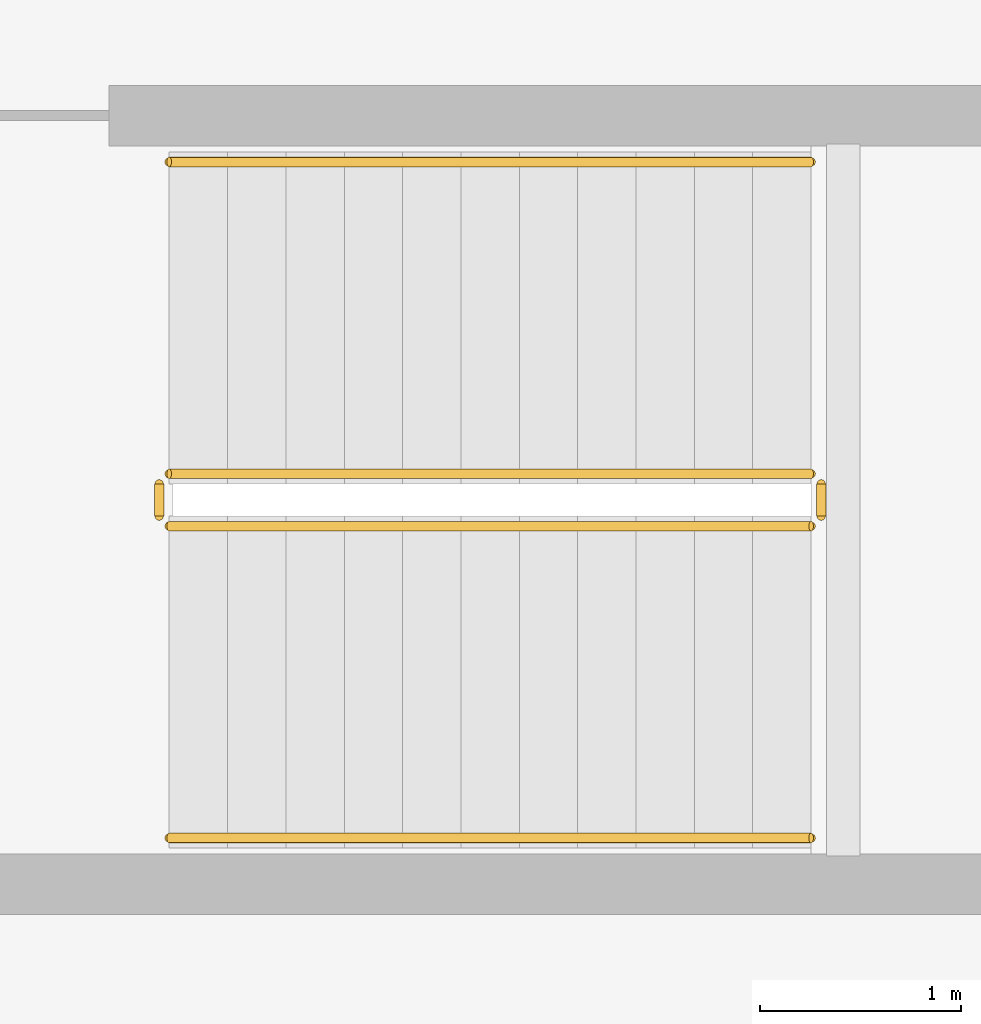
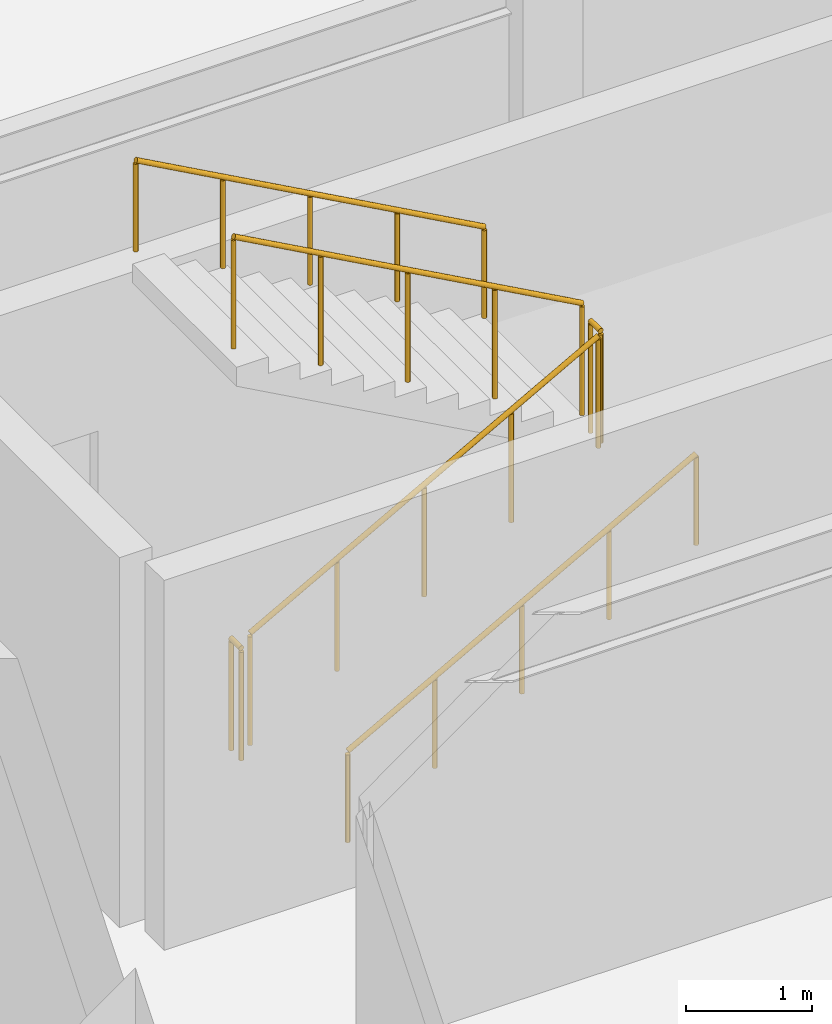
# One storey, part 51 of 53: 6 railings.
"""IFC4 building model written with IfcOpenShell, lengths in metres."""

from ifc_helpers import new_model, si_unit, direction, frame, origin, origin_2d, place, context, subcontext, project, spatial, circle, extrude, material, type_object, element, save


model = new_model("IFC4")

# Units and contexts
model_context = context("Model", 3, precision=1e-05, world=origin(), true_north=direction((0.0, 1.0)))
body_context = subcontext(model_context, "Body", "Model", "MODEL_VIEW")
ifc_project = project(units=[si_unit("LENGTHUNIT", "METRE"), si_unit("AREAUNIT", "SQUARE_METRE"), si_unit("VOLUMEUNIT", "CUBIC_METRE"), si_unit("PLANEANGLEUNIT", "RADIAN"), si_unit("MASSUNIT", "GRAM", prefix="KILO")], contexts=[model_context])

# Site, building, storey
site_placement = place(None, origin())
site = spatial("IfcSite", under=ifc_project, at=site_placement, CompositionType="ELEMENT")
building_placement = place(site_placement, origin())
building = spatial("IfcBuilding", under=site, at=building_placement, Name="Kranzveld Transit Interchange", CompositionType="ELEMENT")
storey_placement = place(building_placement, frame((0.0, 0.0, 13.360107421875)))
storey = spatial("IfcBuildingStorey", under=building, at=storey_placement, Name="L03", CompositionType="ELEMENT", Elevation=13.360107421875)

# Railings
ifc_material_1 = material(Name="Steel S355JR", Category="steel")
railing_type_1 = type_object("IfcRailingType", Name="Stair & Ramp Handrail Steel 900", PredefinedType="HANDRAIL", material=ifc_material_1)
railing_1_placement = place(storey_placement, frame((104.199951171875, 74.320068359375, 0.159912109375)))
element("IfcRailing", 1, at=railing_1_placement, inside=storey, type_object=railing_type_1, Name="L03 ST-V4A stair handrail 1", PredefinedType="HANDRAIL", context=body_context, shape_type="SweptSolid", body=[
    extrude(circle(Radius=0.02392578125, at=origin_2d()), frame((0.0, 0.0, 0.8759765625), z_axis=(0.875572797087, 0.0, 0.483086200383), x_axis=(0.0, 1.0, 0.0)), (0.0, 0.0, 1.0), 3.643310546875),
    extrude(circle(Radius=0.02099609375, at=origin_2d()), origin(), (0.0, 0.0, 1.0), 0.849853515625),
    extrude(circle(Radius=0.02099609375, at=origin_2d()), frame((0.79736328125, 0.0, 0.43994140625)), (0.0, 0.0, 1.0), 0.849853515625),
    extrude(circle(Radius=0.02099609375, at=origin_2d()), frame((1.594970703125, 0.0, 0.8798828125)), (0.0, 0.0, 1.0), 0.849853515625),
    extrude(circle(Radius=0.02099609375, at=origin_2d()), frame((2.392578125, 0.0, 1.320068359375)), (0.0, 0.0, 1.0), 0.849853515625),
    extrude(circle(Radius=0.02099609375, at=origin_2d()), frame((3.18994140625, 0.0, 1.760009765625)), (0.0, 0.0, 1.0), 0.849853515625),
])
railing_2_placement = place(storey_placement, frame((107.389892578125, 77.679931640625, 2.079833984375)))
element("IfcRailing", 2, at=railing_2_placement, inside=storey, type_object=railing_type_1, Name="L03 ST-V4A stair handrail 2", PredefinedType="HANDRAIL", context=body_context, shape_type="SweptSolid", body=[
    extrude(circle(Radius=0.02392578125, at=origin_2d()), frame((0.0, 0.0, 0.8759765625), z_axis=(-0.875572797087, 0.0, 0.483086200383), x_axis=(0.0, -1.0, 0.0)), (0.0, 0.0, 1.0), 3.643310546875),
    extrude(circle(Radius=0.02099609375, at=origin_2d()), origin(), (0.0, 0.0, 1.0), 0.849853515625),
    extrude(circle(Radius=0.02099609375, at=origin_2d()), frame((-0.79736328125, 0.0, 0.43994140625)), (0.0, 0.0, 1.0), 0.849853515625),
    extrude(circle(Radius=0.02099609375, at=origin_2d()), frame((-1.594970703125, 0.0, 0.8798828125)), (0.0, 0.0, 1.0), 0.849853515625),
    extrude(circle(Radius=0.02099609375, at=origin_2d()), frame((-2.392578125, 0.0, 1.320068359375)), (0.0, 0.0, 1.0), 0.849853515625),
    extrude(circle(Radius=0.02099609375, at=origin_2d()), frame((-3.18994140625, 0.0, 1.760009765625)), (0.0, 0.0, 1.0), 0.849853515625),
])
ifc_material_2 = material(Name="Steel S355JR", Category="steel")
railing_type_2 = type_object("IfcRailingType", Name="Stair Well Guardrail Steel 1100", PredefinedType="GUARDRAIL", material=ifc_material_2)
railing_3_placement = place(storey_placement, frame((104.199951171875, 75.8701171875, 0.159912109375)))
element("IfcRailing", 3, at=railing_3_placement, inside=storey, type_object=railing_type_2, Name="L03 ST-V4A stair guard 1", PredefinedType="GUARDRAIL", context=body_context, shape_type="SweptSolid", body=[
    extrude(circle(Radius=0.02392578125, at=origin_2d()), frame((0.0, 0.0, 1.076171875), z_axis=(0.875572797087, 0.0, 0.483086200383), x_axis=(0.0, 1.0, 0.0)), (0.0, 0.0, 1.0), 3.643310546875),
    extrude(circle(Radius=0.02099609375, at=origin_2d()), origin(), (0.0, 0.0, 1.0), 1.050048828125),
    extrude(circle(Radius=0.02099609375, at=origin_2d()), frame((0.79736328125, 0.0, 0.43994140625)), (0.0, 0.0, 1.0), 1.050048828125),
    extrude(circle(Radius=0.02099609375, at=origin_2d()), frame((1.594970703125, 0.0, 0.8798828125)), (0.0, 0.0, 1.0), 1.050048828125),
    extrude(circle(Radius=0.02099609375, at=origin_2d()), frame((2.392578125, 0.0, 1.320068359375)), (0.0, 0.0, 1.0), 1.050048828125),
    extrude(circle(Radius=0.02099609375, at=origin_2d()), frame((3.18994140625, 0.0, 1.760009765625)), (0.0, 0.0, 1.0), 1.050048828125),
])
railing_4_placement = place(storey_placement, frame((107.43994140625, 75.919921875, 1.919921875)))
element("IfcRailing", 4, at=railing_4_placement, inside=storey, type_object=railing_type_2, Name="L03 ST-V4A stair guard 2", PredefinedType="GUARDRAIL", context=body_context, shape_type="SweptSolid", body=[
    extrude(circle(Radius=0.02392578125, at=origin_2d()), frame((0.0, 0.0, 1.076171875), z_axis=(0.0, 1.0, 0.0), x_axis=(-1.0, 0.0, 0.0)), (0.0, 0.0, 1.0), 0.16015625),
    extrude(circle(Radius=0.02099609375, at=origin_2d()), origin(), (0.0, 0.0, 1.0), 1.050048828125),
    extrude(circle(Radius=0.02099609375, at=origin_2d()), frame((0.0, 0.16015625, 0.0)), (0.0, 0.0, 1.0), 1.050048828125),
])
railing_5_placement = place(storey_placement, frame((107.389892578125, 76.1298828125, 2.079833984375)))
element("IfcRailing", 5, at=railing_5_placement, inside=storey, type_object=railing_type_2, Name="L03 ST-V4A stair guard 3", PredefinedType="GUARDRAIL", context=body_context, shape_type="SweptSolid", body=[
    extrude(circle(Radius=0.02392578125, at=origin_2d()), frame((0.0, 0.0, 1.076171875), z_axis=(-0.875572797087, 0.0, 0.483086200383), x_axis=(0.0, -1.0, 0.0)), (0.0, 0.0, 1.0), 3.643310546875),
    extrude(circle(Radius=0.02099609375, at=origin_2d()), origin(), (0.0, 0.0, 1.0), 1.050048828125),
    extrude(circle(Radius=0.02099609375, at=origin_2d()), frame((-0.79736328125, 0.0, 0.43994140625)), (0.0, 0.0, 1.0), 1.050048828125),
    extrude(circle(Radius=0.02099609375, at=origin_2d()), frame((-1.594970703125, 0.0, 0.8798828125)), (0.0, 0.0, 1.0), 1.050048828125),
    extrude(circle(Radius=0.02099609375, at=origin_2d()), frame((-2.392578125, 0.0, 1.320068359375)), (0.0, 0.0, 1.0), 1.050048828125),
    extrude(circle(Radius=0.02099609375, at=origin_2d()), frame((-3.18994140625, 0.0, 1.760009765625)), (0.0, 0.0, 1.0), 1.050048828125),
])
railing_6_placement = place(storey_placement, frame((104.14990234375, 75.919921875, 0.0)))
element("IfcRailing", 6, at=railing_6_placement, inside=storey, type_object=railing_type_2, Name="L03 ST-V4A stair guard 4", PredefinedType="GUARDRAIL", context=body_context, shape_type="SweptSolid", body=[
    extrude(circle(Radius=0.02392578125, at=origin_2d()), frame((0.0, 0.0, 1.076171875), z_axis=(0.0, 1.0, 0.0), x_axis=(-1.0, 0.0, 0.0)), (0.0, 0.0, 1.0), 0.16015625),
    extrude(circle(Radius=0.02099609375, at=origin_2d()), origin(), (0.0, 0.0, 1.0), 1.050048828125),
    extrude(circle(Radius=0.02099609375, at=origin_2d()), frame((0.0, 0.16015625, 0.0)), (0.0, 0.0, 1.0), 1.050048828125),
])

save(model, "model.ifc")
